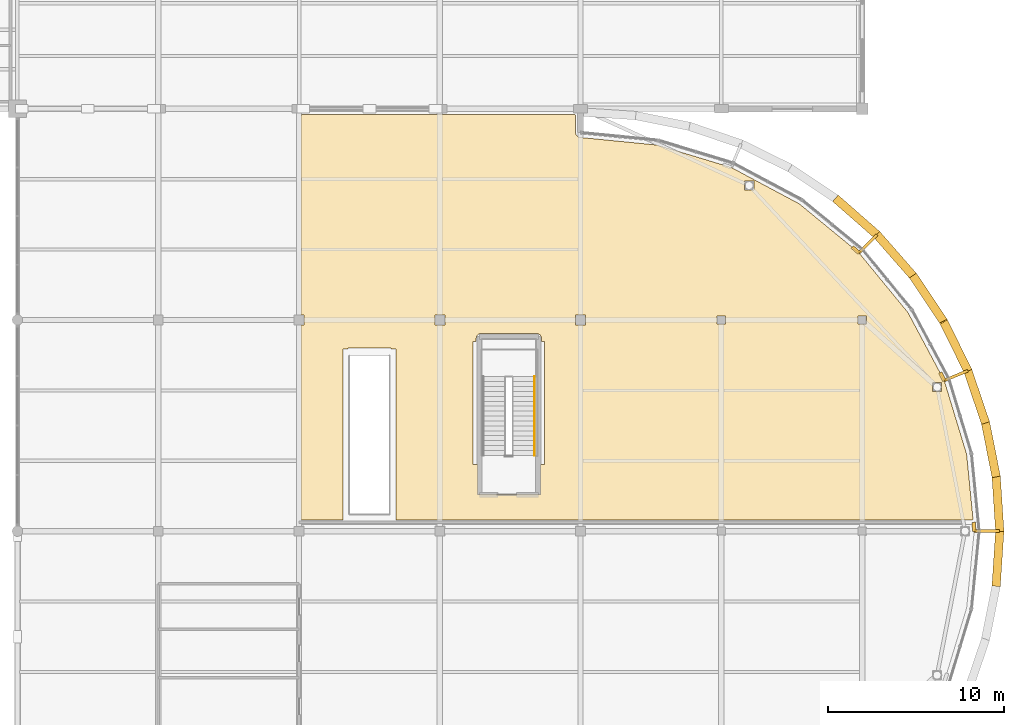
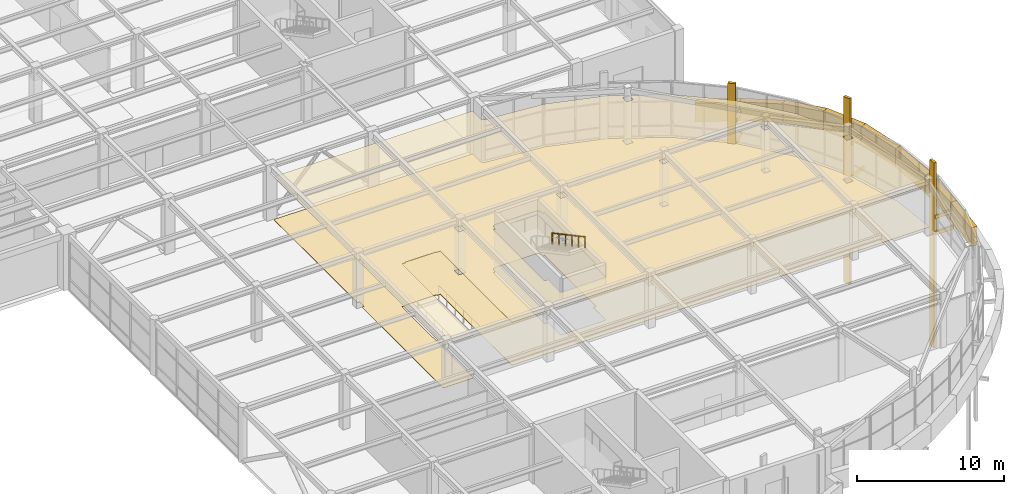
# One storey, part 59 of 63: 19 coverings, 1 railing.
"""IFC4 building model written with IfcOpenShell, lengths in metres."""

from ifc_helpers import new_model, si_unit, direction, frame, frame_2d, origin, origin_2d, place, context, subcontext, project, spatial, polyline, rectangle, circle, outline, extrude, material, layer, layer_set, type_object, element, save


model = new_model("IFC4")

# Units and contexts
model_context = context("Model", 3, precision=1e-05, world=origin(), true_north=direction((0.0, 1.0)))
body_context = subcontext(model_context, "Body", "Model", "MODEL_VIEW")
ifc_project = project(units=[si_unit("LENGTHUNIT", "METRE"), si_unit("AREAUNIT", "SQUARE_METRE"), si_unit("VOLUMEUNIT", "CUBIC_METRE"), si_unit("PLANEANGLEUNIT", "RADIAN"), si_unit("MASSUNIT", "GRAM", prefix="KILO")], contexts=[model_context])

# Site, building, storey
site_placement = place(None, origin())
site = spatial("IfcSite", under=ifc_project, at=site_placement, CompositionType="ELEMENT")
building_placement = place(site_placement, origin())
building = spatial("IfcBuilding", under=site, at=building_placement, Name="Keelwater Ferry Terminal", CompositionType="ELEMENT")
storey_placement = place(building_placement, frame((0.0, 0.0, 10.199951171875)))
storey = spatial("IfcBuildingStorey", under=building, at=storey_placement, Name="L02", CompositionType="ELEMENT", Elevation=10.199951171875)

# Coverings
ifc_material_1 = material(Name="Perforated acoustic gypsum board ceiling", Category="gypsum")
ifc_layer_1 = layer(ifc_material_1, 0.044921875)
ifc_layer_set_1 = layer_set([ifc_layer_1], Name="Perforated acoustic gypsum board ceiling")
covering_type_1 = type_object("IfcCoveringType", Name="CL-AC Acoustic Baffle Ceiling", PredefinedType="CEILING", material=ifc_layer_set_1)
covering_1_placement = place(storey_placement, frame((0.0, 0.0, 3.550048828125)))
element("IfcCovering", 1, at=covering_1_placement, inside=storey, type_object=covering_type_1, Name="International Waiting Lounge Acoustic Ceiling", PredefinedType="CEILING", context=body_context, shape_type="SweptSolid", body=[
    extrude(outline(polyline([(163.656005859375, 89.677978515625), (163.6630859375, 89.677001953125), (163.6708984375, 89.674072265625), (163.677978515625, 89.6708984375), (163.68408203125, 89.6669921875), (163.69091796875, 89.662109375), (163.697021484375, 89.656982421875), (163.701904296875, 89.65087890625), (163.70703125, 89.64404296875), (163.7109375, 89.637939453125), (163.714111328125, 89.631103515625), (163.717041015625, 89.623046875), (163.718017578125, 89.615966796875), (163.719970703125, 89.60791015625), (163.719970703125, 89.60009765625), (163.719970703125, 88.654052734375), (163.719970703125, 88.64990234375), (163.720947265625, 88.623046875), (163.72509765625, 88.594970703125), (163.73193359375, 88.569091796875), (163.740966796875, 88.54296875), (163.7529296875, 88.51806640625), (163.76708984375, 88.493896484375), (163.783935546875, 88.471923828125), (163.802001953125, 88.451904296875), (163.822021484375, 88.43408203125), (163.843994140625, 88.4169921875), (163.867919921875, 88.403076171875), (163.89306640625, 88.39111328125), (163.9189453125, 88.382080078125), (163.945068359375, 88.375), (163.972900390625, 88.37109375), (166.347900390625, 88.137939453125), (168.35595703125, 87.93994140625), (168.364013671875, 87.93798828125), (168.37109375, 87.93701171875), (170.467041015625, 87.301025390625), (172.55908203125, 86.666015625), (172.56103515625, 86.666015625), (172.56103515625, 86.666015625), (173.841064453125, 85.98193359375), (173.843994140625, 85.97998046875), (173.85107421875, 85.97509765625), (173.85693359375, 85.969970703125), (173.861083984375, 85.964111328125), (173.867919921875, 85.962890625), (173.875, 85.9619140625), (173.883056640625, 85.958984375), (173.889892578125, 85.9560546875), (173.998046875, 85.89794921875), (176.4208984375, 84.60302734375), (176.427001953125, 84.59912109375), (176.43408203125, 84.593994140625), (179.81103515625, 81.822021484375), (179.81689453125, 81.81689453125), (179.822021484375, 81.81103515625), (182.593994140625, 78.43408203125), (182.59912109375, 78.427001953125), (182.60302734375, 78.4208984375), (183.325927734375, 77.068115234375), (184.666015625, 74.56103515625), (184.666015625, 74.56103515625), (184.666015625, 74.55908203125), (185.301025390625, 72.467041015625), (185.93701171875, 70.37109375), (185.93798828125, 70.364013671875), (185.93994140625, 70.35595703125), (186.299072265625, 66.7080078125), (186.299072265625, 66.699951171875), (186.299072265625, 66.69189453125), (186.297119140625, 66.68408203125), (186.2958984375, 66.677001953125), (186.29296875, 66.6689453125), (186.2900390625, 66.662109375), (186.285888671875, 66.656005859375), (186.281005859375, 66.64892578125), (186.27587890625, 66.64306640625), (186.27001953125, 66.637939453125), (186.262939453125, 66.633056640625), (186.257080078125, 66.62890625), (186.25, 66.6259765625), (186.241943359375, 66.623046875), (186.235107421875, 66.6220703125), (186.22705078125, 66.6201171875), (186.218994140625, 66.6201171875), (153.5, 66.6201171875), (153.5, 76.360107421875), (153.219970703125, 76.360107421875), (153.219970703125, 76.419921875), (150.780029296875, 76.419921875), (150.780029296875, 76.360107421875), (150.5, 76.360107421875), (150.5, 66.6201171875), (148.199951171875, 66.6201171875), (148.19189453125, 66.6201171875), (148.18408203125, 66.6220703125), (148.177001953125, 66.623046875), (148.1689453125, 66.6259765625), (148.162109375, 66.62890625), (148.156005859375, 66.633056640625), (148.14892578125, 66.637939453125), (148.14306640625, 66.64306640625), (148.137939453125, 66.64892578125), (148.133056640625, 66.656005859375), (148.12890625, 66.662109375), (148.1259765625, 66.6689453125), (148.123046875, 66.677001953125), (148.1220703125, 66.68408203125), (148.1201171875, 66.69189453125), (148.1201171875, 66.699951171875), (148.1201171875, 77.705078125), (148.1201171875, 77.712890625), (148.12109375, 77.715087890625), (148.284912109375, 77.715087890625), (148.284912109375, 78.284912109375), (148.12109375, 78.284912109375), (148.1201171875, 78.287109375), (148.1201171875, 78.294921875), (148.1201171875, 89.60009765625), (148.1201171875, 89.60791015625), (148.1220703125, 89.615966796875), (148.123046875, 89.623046875), (148.1259765625, 89.631103515625), (148.12890625, 89.637939453125), (148.133056640625, 89.64404296875), (148.137939453125, 89.65087890625), (148.14306640625, 89.656982421875), (148.14892578125, 89.662109375), (148.156005859375, 89.6669921875), (148.162109375, 89.6708984375), (148.1689453125, 89.674072265625), (148.177001953125, 89.677001953125), (148.18408203125, 89.677978515625), (148.19189453125, 89.679931640625), (148.199951171875, 89.679931640625), (163.639892578125, 89.679931640625), (163.64794921875, 89.679931640625), (163.656005859375, 89.677978515625)]), holes=[polyline([(161.719970703125, 69.800048828125), (161.93994140625, 69.800048828125), (161.93994140625, 76.780029296875), (161.780029296875, 76.780029296875), (161.780029296875, 76.949951171875), (161.779052734375, 76.97705078125), (161.77490234375, 77.0048828125), (161.76806640625, 77.031005859375), (161.759033203125, 77.056884765625), (161.7470703125, 77.08203125), (161.73291015625, 77.10595703125), (161.716064453125, 77.1279296875), (161.697998046875, 77.14794921875), (161.677978515625, 77.166015625), (161.656005859375, 77.18310546875), (161.632080078125, 77.197021484375), (161.60693359375, 77.208984375), (161.5810546875, 77.218017578125), (161.554931640625, 77.22509765625), (161.527099609375, 77.22900390625), (161.5, 77.22998046875), (158.35009765625, 77.22998046875), (158.322998046875, 77.22900390625), (158.294921875, 77.22509765625), (158.26904296875, 77.218017578125), (158.242919921875, 77.208984375), (158.218017578125, 77.197021484375), (158.194091796875, 77.18310546875), (158.172119140625, 77.166015625), (158.152099609375, 77.14794921875), (158.134033203125, 77.1279296875), (158.116943359375, 77.10595703125), (158.10302734375, 77.08203125), (158.091064453125, 77.056884765625), (158.08203125, 77.031005859375), (158.074951171875, 77.0048828125), (158.071044921875, 76.97705078125), (158.070068359375, 76.949951171875), (158.070068359375, 76.780029296875), (157.89990234375, 76.780029296875), (157.89990234375, 69.800048828125), (158.179931640625, 69.800048828125), (158.179931640625, 68.080078125), (161.719970703125, 68.080078125), (161.719970703125, 69.800048828125)]), polyline([(155.715087890625, 78.284912109375), (155.715087890625, 77.715087890625), (156.284912109375, 77.715087890625), (156.284912109375, 78.284912109375), (155.715087890625, 78.284912109375)]), polyline([(183.9951171875, 74.448974609375), (183.9951171875, 73.9208984375), (184.52294921875, 73.9208984375), (184.52294921875, 74.448974609375), (183.9951171875, 74.448974609375)]), polyline([(171.764892578125, 78.235107421875), (171.764892578125, 77.764892578125), (172.235107421875, 77.764892578125), (172.235107421875, 78.235107421875), (171.764892578125, 78.235107421875)]), polyline([(163.715087890625, 78.284912109375), (163.715087890625, 77.715087890625), (164.284912109375, 77.715087890625), (164.284912109375, 78.284912109375), (163.715087890625, 78.284912109375)]), polyline([(179.764892578125, 78.235107421875), (179.764892578125, 77.764892578125), (180.235107421875, 77.764892578125), (180.235107421875, 78.235107421875), (179.764892578125, 78.235107421875)]), polyline([(173.31396484375, 85.903076171875), (173.31396484375, 85.375), (173.842041015625, 85.375), (173.842041015625, 85.903076171875), (173.31396484375, 85.903076171875)])]), origin(), (0.0, 0.0, 1.0), 0.044921875),
])
ifc_material_2 = material(Name="Polished mineral terrazzo tile", Category="stone")
ifc_layer_2 = layer(ifc_material_2, 0.030029296875)
ifc_layer_set_2 = layer_set([ifc_layer_2], Name="Polished mineral terrazzo tile")
covering_type_2 = type_object("IfcCoveringType", Name="FL-TZ Marine Terrazzo Flooring", PredefinedType="FLOORING", material=ifc_layer_set_2)
covering_2_placement = place(storey_placement, origin())
element("IfcCovering", 2, at=covering_2_placement, inside=storey, type_object=covering_type_2, Name="International Waiting Lounge Terrazzo Floor", PredefinedType="FLOORING", context=body_context, shape_type="SweptSolid", body=[
    extrude(outline(polyline([(163.656005859375, 89.677978515625), (163.6630859375, 89.677001953125), (163.6708984375, 89.674072265625), (163.677978515625, 89.6708984375), (163.68408203125, 89.6669921875), (163.69091796875, 89.662109375), (163.697021484375, 89.656982421875), (163.701904296875, 89.65087890625), (163.70703125, 89.64404296875), (163.7109375, 89.637939453125), (163.714111328125, 89.631103515625), (163.717041015625, 89.623046875), (163.718017578125, 89.615966796875), (163.719970703125, 89.60791015625), (163.719970703125, 89.60009765625), (163.719970703125, 88.654052734375), (163.719970703125, 88.64990234375), (163.720947265625, 88.623046875), (163.72509765625, 88.594970703125), (163.73193359375, 88.569091796875), (163.740966796875, 88.54296875), (163.7529296875, 88.51806640625), (163.76708984375, 88.493896484375), (163.783935546875, 88.471923828125), (163.802001953125, 88.451904296875), (163.822021484375, 88.43408203125), (163.843994140625, 88.4169921875), (163.867919921875, 88.403076171875), (163.89306640625, 88.39111328125), (163.9189453125, 88.382080078125), (163.945068359375, 88.375), (163.972900390625, 88.37109375), (166.347900390625, 88.137939453125), (168.35595703125, 87.93994140625), (168.364013671875, 87.93798828125), (168.37109375, 87.93701171875), (170.467041015625, 87.301025390625), (172.55908203125, 86.666015625), (172.56103515625, 86.666015625), (172.56103515625, 86.666015625), (173.841064453125, 85.98193359375), (173.843994140625, 85.97998046875), (173.85107421875, 85.97509765625), (173.85693359375, 85.969970703125), (173.861083984375, 85.964111328125), (173.867919921875, 85.962890625), (173.875, 85.9619140625), (173.883056640625, 85.958984375), (173.889892578125, 85.9560546875), (173.998046875, 85.89794921875), (176.4208984375, 84.60302734375), (176.427001953125, 84.59912109375), (176.43408203125, 84.593994140625), (179.81103515625, 81.822021484375), (179.81689453125, 81.81689453125), (179.822021484375, 81.81103515625), (182.593994140625, 78.43408203125), (182.59912109375, 78.427001953125), (182.60302734375, 78.4208984375), (183.325927734375, 77.068115234375), (184.666015625, 74.56103515625), (184.666015625, 74.56103515625), (184.666015625, 74.55908203125), (185.301025390625, 72.467041015625), (185.93701171875, 70.37109375), (185.93798828125, 70.364013671875), (185.93994140625, 70.35595703125), (186.299072265625, 66.7080078125), (186.299072265625, 66.699951171875), (186.299072265625, 66.69189453125), (186.297119140625, 66.68408203125), (186.2958984375, 66.677001953125), (186.29296875, 66.6689453125), (186.2900390625, 66.662109375), (186.285888671875, 66.656005859375), (186.281005859375, 66.64892578125), (186.27587890625, 66.64306640625), (186.27001953125, 66.637939453125), (186.262939453125, 66.633056640625), (186.257080078125, 66.62890625), (186.25, 66.6259765625), (186.241943359375, 66.623046875), (186.235107421875, 66.6220703125), (186.22705078125, 66.6201171875), (186.218994140625, 66.6201171875), (153.5, 66.6201171875), (153.5, 76.360107421875), (153.219970703125, 76.360107421875), (153.219970703125, 76.419921875), (150.780029296875, 76.419921875), (150.780029296875, 76.360107421875), (150.5, 76.360107421875), (150.5, 66.6201171875), (148.199951171875, 66.6201171875), (148.19189453125, 66.6201171875), (148.18408203125, 66.6220703125), (148.177001953125, 66.623046875), (148.1689453125, 66.6259765625), (148.162109375, 66.62890625), (148.156005859375, 66.633056640625), (148.14892578125, 66.637939453125), (148.14306640625, 66.64306640625), (148.137939453125, 66.64892578125), (148.133056640625, 66.656005859375), (148.12890625, 66.662109375), (148.1259765625, 66.6689453125), (148.123046875, 66.677001953125), (148.1220703125, 66.68408203125), (148.1201171875, 66.69189453125), (148.1201171875, 66.699951171875), (148.1201171875, 77.705078125), (148.1201171875, 77.712890625), (148.12109375, 77.715087890625), (148.284912109375, 77.715087890625), (148.284912109375, 78.284912109375), (148.12109375, 78.284912109375), (148.1201171875, 78.287109375), (148.1201171875, 78.294921875), (148.1201171875, 89.60009765625), (148.1201171875, 89.60791015625), (148.1220703125, 89.615966796875), (148.123046875, 89.623046875), (148.1259765625, 89.631103515625), (148.12890625, 89.637939453125), (148.133056640625, 89.64404296875), (148.137939453125, 89.65087890625), (148.14306640625, 89.656982421875), (148.14892578125, 89.662109375), (148.156005859375, 89.6669921875), (148.162109375, 89.6708984375), (148.1689453125, 89.674072265625), (148.177001953125, 89.677001953125), (148.18408203125, 89.677978515625), (148.19189453125, 89.679931640625), (148.199951171875, 89.679931640625), (163.639892578125, 89.679931640625), (163.64794921875, 89.679931640625), (163.656005859375, 89.677978515625)]), holes=[polyline([(161.719970703125, 69.800048828125), (161.93994140625, 69.800048828125), (161.93994140625, 76.780029296875), (161.780029296875, 76.780029296875), (161.780029296875, 76.949951171875), (161.779052734375, 76.97705078125), (161.77490234375, 77.0048828125), (161.76806640625, 77.031005859375), (161.759033203125, 77.056884765625), (161.7470703125, 77.08203125), (161.73291015625, 77.10595703125), (161.716064453125, 77.1279296875), (161.697998046875, 77.14794921875), (161.677978515625, 77.166015625), (161.656005859375, 77.18310546875), (161.632080078125, 77.197021484375), (161.60693359375, 77.208984375), (161.5810546875, 77.218017578125), (161.554931640625, 77.22509765625), (161.527099609375, 77.22900390625), (161.5, 77.22998046875), (158.35009765625, 77.22998046875), (158.322998046875, 77.22900390625), (158.294921875, 77.22509765625), (158.26904296875, 77.218017578125), (158.242919921875, 77.208984375), (158.218017578125, 77.197021484375), (158.194091796875, 77.18310546875), (158.172119140625, 77.166015625), (158.152099609375, 77.14794921875), (158.134033203125, 77.1279296875), (158.116943359375, 77.10595703125), (158.10302734375, 77.08203125), (158.091064453125, 77.056884765625), (158.08203125, 77.031005859375), (158.074951171875, 77.0048828125), (158.071044921875, 76.97705078125), (158.070068359375, 76.949951171875), (158.070068359375, 76.780029296875), (157.89990234375, 76.780029296875), (157.89990234375, 69.800048828125), (158.179931640625, 69.800048828125), (158.179931640625, 68.080078125), (161.719970703125, 68.080078125), (161.719970703125, 69.800048828125)]), polyline([(155.715087890625, 78.284912109375), (155.715087890625, 77.715087890625), (156.284912109375, 77.715087890625), (156.284912109375, 78.284912109375), (155.715087890625, 78.284912109375)]), polyline([(183.9951171875, 74.448974609375), (183.9951171875, 73.9208984375), (184.52294921875, 73.9208984375), (184.52294921875, 74.448974609375), (183.9951171875, 74.448974609375)]), polyline([(171.764892578125, 78.235107421875), (171.764892578125, 77.764892578125), (172.235107421875, 77.764892578125), (172.235107421875, 78.235107421875), (171.764892578125, 78.235107421875)]), polyline([(163.715087890625, 78.284912109375), (163.715087890625, 77.715087890625), (164.284912109375, 77.715087890625), (164.284912109375, 78.284912109375), (163.715087890625, 78.284912109375)]), polyline([(179.764892578125, 78.235107421875), (179.764892578125, 77.764892578125), (180.235107421875, 77.764892578125), (180.235107421875, 78.235107421875), (179.764892578125, 78.235107421875)]), polyline([(173.31396484375, 85.903076171875), (173.31396484375, 85.375), (173.842041015625, 85.375), (173.842041015625, 85.903076171875), (173.31396484375, 85.903076171875)])]), origin(), (0.0, 0.0, 1.0), 0.030029296875),
])

# Railing
ifc_material_3 = material(Name="Brushed stainless steel handrail", Category="steel")
railing_type = type_object("IfcRailingType", Name="HR-920 Stair Pitch Handrail", PredefinedType="HANDRAIL", material=ifc_material_3)
railing_placement = place(storey_placement, frame((161.3798828125, 74.780029296875, 2.400146484375)))
element("IfcRailing", 3, at=railing_placement, inside=storey, type_object=railing_type, Name="Stair ST-E5-L02 Flight 2 Handrail 102", PredefinedType="HANDRAIL", context=body_context, shape_type="SweptSolid", body=[
    extrude(circle(Radius=0.02392578125, at=origin_2d()), frame((0.0, 0.0, 0.89599609375), z_axis=(0.0, -0.881487111273, 0.472208081951), x_axis=(1.0, 0.0, 0.0)), (0.0, 0.0, 1.0), 5.082275390625),
    extrude(circle(Radius=0.02099609375, at=origin_2d()), origin(), (0.0, 0.0, 1.0), 0.871826171875),
    extrude(circle(Radius=0.02099609375, at=origin_2d()), frame((0.0, -0.89599609375, 0.47998046875)), (0.0, 0.0, 1.0), 0.871826171875),
    extrude(circle(Radius=0.02099609375, at=origin_2d()), frame((0.0, -1.7919921875, 0.9599609375)), (0.0, 0.0, 1.0), 0.871826171875),
    extrude(circle(Radius=0.02099609375, at=origin_2d()), frame((0.0, -2.68798828125, 1.43994140625)), (0.0, 0.0, 1.0), 0.871826171875),
    extrude(circle(Radius=0.02099609375, at=origin_2d()), frame((0.0, -3.583984375, 1.919921875)), (0.0, 0.0, 1.0), 0.871826171875),
    extrude(circle(Radius=0.02099609375, at=origin_2d()), frame((0.0, -4.47998046875, 2.39990234375)), (0.0, 0.0, 1.0), 0.871826171875),
])

# Coverings
ifc_material_4 = material(Name="Matte white architectural aluminium fascia ribbon", Category="aluminium")
ifc_layer_3 = layer(ifc_material_4, 0.1201171875)
ifc_layer_set_3 = layer_set([ifc_layer_3], Name="Matte white architectural aluminium fascia ribbon")
covering_type_3 = type_object("IfcCoveringType", Name="RB-WHT Matte White Fascia Ribbon", PredefinedType="CLADDING", material=ifc_layer_set_3)
covering_3_placement = place(storey_placement, frame((187.614013671875, 62.865966796875, 0.275146484375), z_axis=(0.0, 0.0, 1.0), x_axis=(0.065705147067, 0.997839082041, 0.0)))
element("IfcCovering", 4, at=covering_3_placement, inside=storey, type_object=covering_type_3, Name="Concourse Upper Wave Fascia Ribbon 694", PredefinedType="CLADDING", context=body_context, shape_type="SweptSolid", body=[
    extrude(outline(polyline([(0.0, 0.0), (3.165771484375, 0.19091796875), (3.165771484375, 1.740966796875), (0.0, 1.5498046875), (0.0, 0.0)])), frame((0.0, 0.239990234375, 0.0), z_axis=(0.0, -1.0, 0.0), x_axis=(1.0, 0.0, 0.0)), (0.0, 0.0, 1.0), 0.47998046875),
])
covering_4_placement = place(storey_placement, frame((187.822021484375, 65.97509765625, 0.466064453125), z_axis=(0.0, 0.0, 1.0), x_axis=(-0.065705147067, 0.997839082041, 0.0)))
element("IfcCovering", 5, at=covering_4_placement, inside=storey, type_object=covering_type_3, Name="Concourse Upper Wave Fascia Ribbon 698", PredefinedType="CLADDING", context=body_context, shape_type="SweptSolid", body=[
    extrude(outline(polyline([(0.0, 0.0), (3.165771484375, 0.48388671875), (3.165771484375, 2.033935546875), (0.0, 1.550048828125), (0.0, 0.0)])), frame((0.0, 0.239990234375, 0.0), z_axis=(0.0, -1.0, 0.0), x_axis=(1.0, 0.0, 0.0)), (0.0, 0.0, 1.0), 0.47998046875),
])
covering_5_placement = place(storey_placement, frame((187.820068359375, 66.0, 1.10107421875), z_axis=(0.0, 0.0, 1.0), x_axis=(-1.0, 0.0, 0.0)))
element("IfcCovering", 6, at=covering_5_placement, inside=storey, type_object=covering_type_3, Name="Ribbon Horizontal Tie Bracket 701", PredefinedType="CLADDING", context=body_context, shape_type="SweptSolid", body=[
    extrude(rectangle(XDim=1.449951171875, YDim=0.159912109375, at=frame_2d((0.72509765625, 0.0))), origin(), (0.0, 0.0, 1.0), 0.280029296875),
])
covering_6_placement = place(storey_placement, frame((187.820068359375, 66.0, -0.25), z_axis=(0.0, 0.0, 1.0), x_axis=(-1.0, 0.0, 0.0)))
element("IfcCovering", 7, at=covering_6_placement, inside=storey, type_object=covering_type_3, Name="Ribbon Slab Tie Bracket 703", PredefinedType="CLADDING", context=body_context, shape_type="SweptSolid", body=[
    extrude(rectangle(XDim=1.449951171875, YDim=0.159912109375, at=frame_2d((0.72509765625, 0.0))), origin(), (0.0, 0.0, 1.0), 0.300048828125),
])
covering_7_placement = place(storey_placement, frame((186.3720703125, 65.97509765625, -9.635986328125), z_axis=(0.0, 0.0, 1.0), x_axis=(-0.066335559291, 0.997797371, 0.0)))
element("IfcCovering", 8, at=covering_7_placement, inside=storey, type_object=covering_type_3, Name="Ribbon Recessed Support Mullion 705", PredefinedType="CLADDING", context=body_context, shape_type="SweptSolid", body=[
    extrude(outline(polyline([(0.0, 0.0), (0.530029296875, 0.0), (0.530029296875, 15.3720703125), (0.0, 15.3720703125), (0.0, 0.0)])), frame((0.0, 0.10009765625, 0.0), z_axis=(0.0, -1.0, 0.0), x_axis=(1.0, 0.0, 0.0)), (0.0, 0.0, 1.0), 0.199951171875),
])
covering_8_placement = place(storey_placement, frame((187.62109375, 69.083984375, 0.949951171875), z_axis=(0.0, 0.0, 1.0), x_axis=(-0.195196875454, 0.98076407959, 0.0)))
element("IfcCovering", 9, at=covering_8_placement, inside=storey, type_object=covering_type_3, Name="Concourse Upper Wave Fascia Ribbon 708", PredefinedType="CLADDING", context=body_context, shape_type="SweptSolid", body=[
    extrude(outline(polyline([(0.0, 0.0), (3.1669921875, 0.56201171875), (3.1669921875, 2.112060546875), (0.0, 1.550048828125), (0.0, 0.0)])), frame((0.0, 0.239990234375, 0.0), z_axis=(0.0, -1.0, 0.0), x_axis=(1.0, 0.0, 0.0)), (0.0, 0.0, 1.0), 0.47998046875),
])
covering_9_placement = place(storey_placement, frame((187.01611328125, 72.14111328125, 1.511962890625), z_axis=(0.0, 0.0, 1.0), x_axis=(-0.321196336342, 0.94701262585, 0.0)))
element("IfcCovering", 10, at=covering_9_placement, inside=storey, type_object=covering_type_3, Name="Concourse Upper Wave Fascia Ribbon 712", PredefinedType="CLADDING", context=body_context, shape_type="SweptSolid", body=[
    extrude(outline(polyline([(0.0, 0.0), (3.16650390625, 0.39013671875), (3.16650390625, 1.940185546875), (0.0, 1.550048828125), (0.0, 0.0)])), frame((0.0, 0.239990234375, 0.0), z_axis=(0.0, -1.0, 0.0), x_axis=(1.0, 0.0, 0.0)), (0.0, 0.0, 1.0), 0.47998046875),
])
covering_10_placement = place(storey_placement, frame((186.01806640625, 75.093994140625, 1.902099609375), z_axis=(0.0, 0.0, 1.0), x_axis=(-0.442454846905, 0.896790782987, 0.0)))
element("IfcCovering", 11, at=covering_10_placement, inside=storey, type_object=covering_type_3, Name="Concourse Upper Wave Fascia Ribbon 716", PredefinedType="CLADDING", context=body_context, shape_type="SweptSolid", body=[
    extrude(outline(polyline([(0.0, 0.0), (3.16455078125, 0.0439453125), (3.16455078125, 1.593994140625), (0.0, 1.550048828125), (0.0, 0.0)])), frame((0.0, 0.239990234375, 0.0), z_axis=(0.0, -1.0, 0.0), x_axis=(1.0, 0.0, 0.0)), (0.0, 0.0, 1.0), 0.47998046875),
])
covering_11_placement = place(storey_placement, frame((186.007080078125, 75.115966796875, 2.537109375), z_axis=(0.0, 0.0, 1.0), x_axis=(-0.923916320312, -0.382594606681, 0.0)))
element("IfcCovering", 12, at=covering_11_placement, inside=storey, type_object=covering_type_3, Name="Ribbon Horizontal Tie Bracket 719", PredefinedType="CLADDING", context=body_context, shape_type="SweptSolid", body=[
    extrude(rectangle(XDim=1.450439453125, YDim=0.159912109375, at=frame_2d((0.72509765625, 0.0))), origin(), (0.0, 0.0, 1.0), 0.280029296875),
])
covering_12_placement = place(storey_placement, frame((186.007080078125, 75.115966796875, -0.25), z_axis=(0.0, 0.0, 1.0), x_axis=(-0.923916320312, -0.382594606681, 0.0)))
element("IfcCovering", 13, at=covering_12_placement, inside=storey, type_object=covering_type_3, Name="Ribbon Slab Tie Bracket 722", PredefinedType="CLADDING", context=body_context, shape_type="SweptSolid", body=[
    extrude(rectangle(XDim=1.450439453125, YDim=0.159912109375, at=frame_2d((0.72509765625, 0.0))), origin(), (0.0, 0.0, 1.0), 0.300048828125),
])
covering_13_placement = place(storey_placement, frame((184.677978515625, 74.5390625, -8.925048828125), z_axis=(0.0, 0.0, 1.0), x_axis=(-0.441855362555, 0.897086304979, 0.0)))
element("IfcCovering", 14, at=covering_13_placement, inside=storey, type_object=covering_type_3, Name="Ribbon Recessed Support Mullion 724", PredefinedType="CLADDING", context=body_context, shape_type="SweptSolid", body=[
    extrude(outline(polyline([(0.0, 0.0), (0.529296875, 0.0), (0.529296875, 15.403076171875), (0.0, 15.403076171875), (0.0, 0.0)])), frame((0.0, 0.10009765625, 0.0), z_axis=(0.0, -1.0, 0.0), x_axis=(1.0, 0.0, 0.0)), (0.0, 0.0, 1.0), 0.199951171875),
])
covering_14_placement = place(storey_placement, frame((184.64306640625, 77.888916015625, 1.625), z_axis=(0.0, 0.0, 1.0), x_axis=(-0.55550058618, 0.831516144614, 0.0)))
element("IfcCovering", 15, at=covering_14_placement, inside=storey, type_object=covering_type_3, Name="Concourse Upper Wave Fascia Ribbon 727", PredefinedType="CLADDING", context=body_context, shape_type="SweptSolid", body=[
    extrude(outline(polyline([(0.0, 0.321044921875), (3.16650390625, 0.0), (3.16650390625, 1.550048828125), (0.0, 1.87109375), (0.0, 0.321044921875)])), frame((0.0, 0.239990234375, 0.0), z_axis=(0.0, -1.0, 0.0), x_axis=(1.0, 0.0, 0.0)), (0.0, 0.0, 1.0), 0.47998046875),
])
covering_15_placement = place(storey_placement, frame((182.9140625, 80.48193359375, 1.08203125), z_axis=(0.0, 0.0, 1.0), x_axis=(-0.65931776004, 0.75186441018, 0.0)))
element("IfcCovering", 16, at=covering_15_placement, inside=storey, type_object=covering_type_3, Name="Concourse Upper Wave Fascia Ribbon 731", PredefinedType="CLADDING", context=body_context, shape_type="SweptSolid", body=[
    extrude(outline(polyline([(0.0, 0.54296875), (3.16552734375, 0.0), (3.16552734375, 1.550048828125), (0.0, 2.093017578125), (0.0, 0.54296875)])), frame((0.0, 0.239990234375, 0.0), z_axis=(0.0, -1.0, 0.0), x_axis=(1.0, 0.0, 0.0)), (0.0, 0.0, 1.0), 0.47998046875),
])
covering_16_placement = place(storey_placement, frame((180.862060546875, 82.826904296875, 0.55810546875), z_axis=(0.0, 0.0, 1.0), x_axis=(-0.75186441018, 0.65931776004, 0.0)))
element("IfcCovering", 17, at=covering_16_placement, inside=storey, type_object=covering_type_3, Name="Concourse Upper Wave Fascia Ribbon 735", PredefinedType="CLADDING", context=body_context, shape_type="SweptSolid", body=[
    extrude(outline(polyline([(0.0, 0.52392578125), (3.16552734375, 0.0), (3.16552734375, 1.550048828125), (0.0, 2.073974609375), (0.0, 0.52392578125)])), frame((0.0, 0.239990234375, 0.0), z_axis=(0.0, -1.0, 0.0), x_axis=(1.0, 0.0, 0.0)), (0.0, 0.0, 1.0), 0.47998046875),
])
covering_17_placement = place(storey_placement, frame((180.843017578125, 82.843017578125, 1.717041015625), z_axis=(0.0, 0.0, 1.0), x_axis=(-0.707106781187, -0.707106781187, 0.0)))
element("IfcCovering", 18, at=covering_17_placement, inside=storey, type_object=covering_type_3, Name="Ribbon Horizontal Tie Bracket 739", PredefinedType="CLADDING", context=body_context, shape_type="SweptSolid", body=[
    extrude(rectangle(XDim=1.449462890625, YDim=0.159912109375, at=frame_2d((0.724609375, 0.0))), origin(), (0.0, 0.0, 1.0), 0.280029296875),
])
covering_18_placement = place(storey_placement, frame((180.843017578125, 82.843017578125, -0.25), z_axis=(0.0, 0.0, 1.0), x_axis=(-0.707106781187, -0.707106781187, 0.0)))
element("IfcCovering", 19, at=covering_18_placement, inside=storey, type_object=covering_type_3, Name="Ribbon Slab Tie Bracket 742", PredefinedType="CLADDING", context=body_context, shape_type="SweptSolid", body=[
    extrude(rectangle(XDim=1.449462890625, YDim=0.159912109375, at=frame_2d((0.724609375, 0.0))), origin(), (0.0, 0.0, 1.0), 0.300048828125),
])
covering_19_placement = place(storey_placement, frame((179.8359375, 81.801025390625, -9.949951171875), z_axis=(0.0, 0.0, 1.0), x_axis=(-0.751033341093, 0.66026428085, 0.0)))
element("IfcCovering", 20, at=covering_19_placement, inside=storey, type_object=covering_type_3, Name="Ribbon Recessed Support Mullion 744", PredefinedType="CLADDING", context=body_context, shape_type="SweptSolid", body=[
    extrude(outline(polyline([(0.0, 0.0), (0.52978515625, 0.0), (0.52978515625, 14.98291015625), (0.0, 14.98291015625), (0.0, 0.0)])), frame((0.0, 0.10009765625, 0.0), z_axis=(0.0, -1.0, 0.0), x_axis=(1.0, 0.0, 0.0)), (0.0, 0.0, 1.0), 0.199951171875),
])

save(model, "model.ifc")
